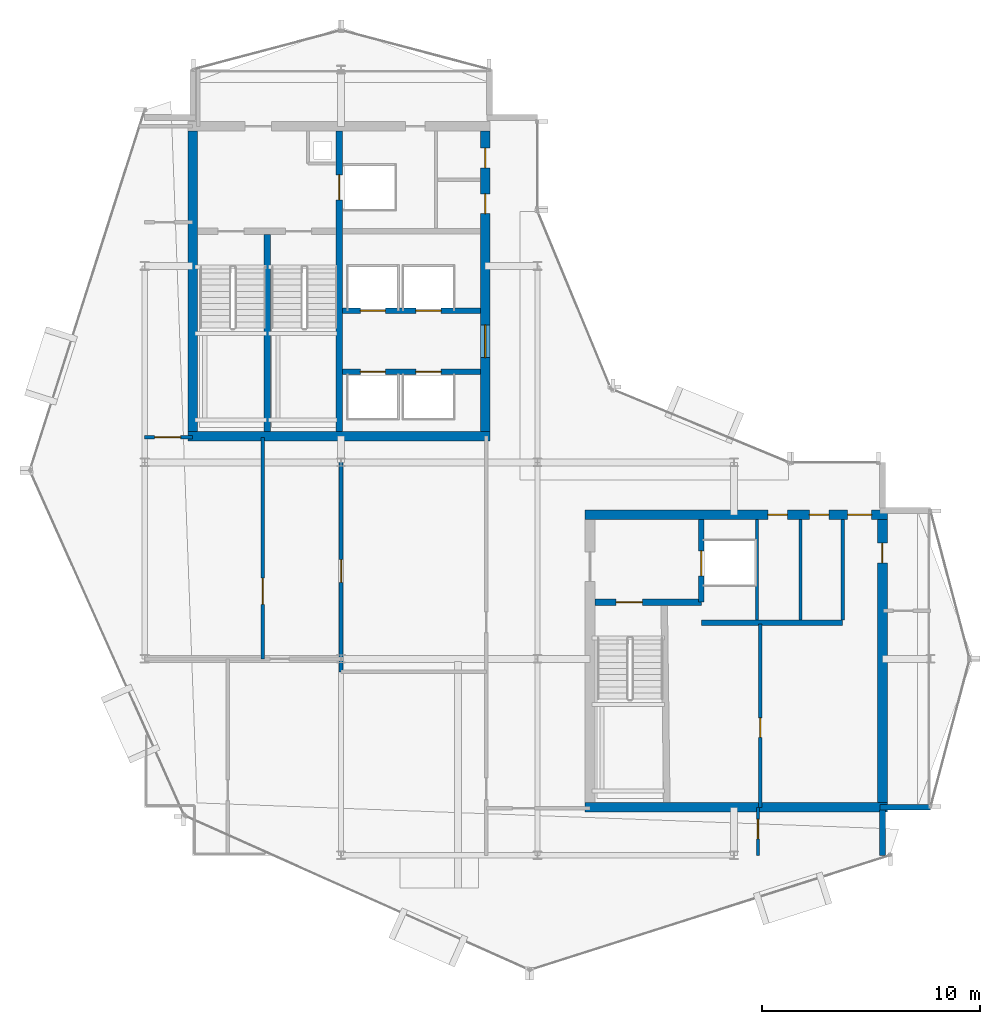
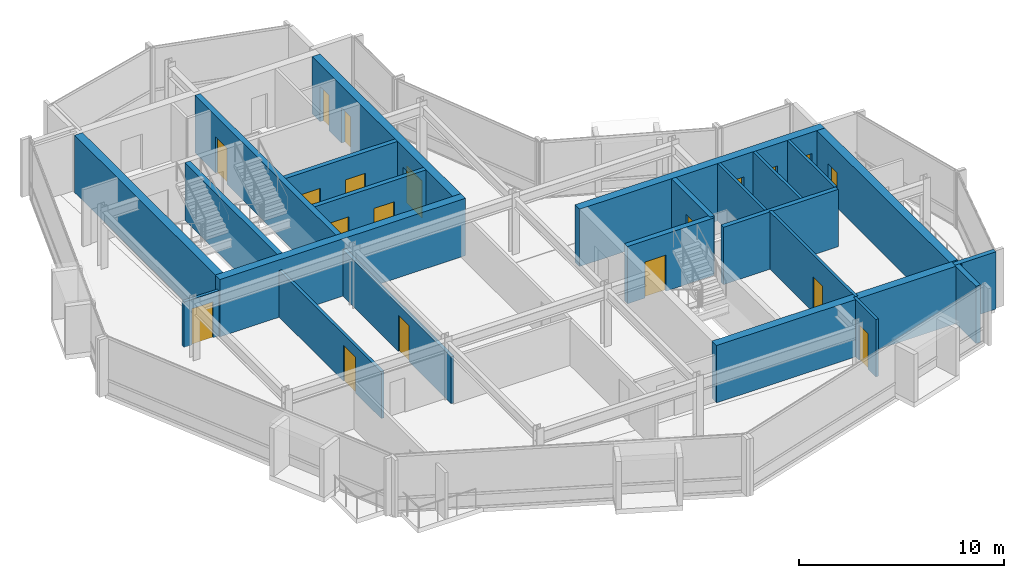
# One storey, part 14 of 19: 23 walls, 19 doors, 19 openings.
"""IFC4 building model written with IfcOpenShell, lengths in metres."""

import ifcopenshell
import ifcopenshell.guid

model = None  # the IFC model being written
_history = None  # IfcOwnerHistory: only IFC2X3 demands one
_inside = {}  # id of a spatial element -> (the spatial element, [elements in it])
_under = {}  # id of a project, library or spatial element -> (it, [spatial elements below it])
_declared = {}  # id of a project -> (the project, [libraries it declares])
_typed = {}  # id of a type object -> (the type object, [elements of that type])
_made_of = {}  # id of a material, layer set ... -> (it, [elements and type objects made of it])


def new_model(schema):
    """Start an empty IFC model of exactly this schema.

    Asked for "IFC4X3", IfcOpenShell would pick the latest addendum, in which some entities
    have other attributes; the version numbers below select the first issue.
    IFC2X3 requires an IfcOwnerHistory on every rooted entity: one is made here for all.
    """
    global model, _history
    if schema == "IFC4X3":
        model = ifcopenshell.file(schema_version=(4, 3, 0, 0))
    else:
        model = ifcopenshell.file(schema=schema)
    _inside.clear()
    _under.clear()
    _declared.clear()
    _typed.clear()
    _made_of.clear()
    _history = None
    if model.schema == "IFC2X3":
        org = make("IfcOrganization", Name="unknown")
        user = make(
            "IfcPersonAndOrganization",
            ThePerson=make("IfcPerson", FamilyName="unknown"),
            TheOrganization=org,
        )
        app = make(
            "IfcApplication",
            ApplicationDeveloper=org,
            Version="unknown",
            ApplicationFullName="unknown",
            ApplicationIdentifier="unknown",
        )
        _history = make(
            "IfcOwnerHistory",
            OwningUser=user,
            OwningApplication=app,
            ChangeAction="ADDED",
            CreationDate=0,
        )
    return model


def make(cls, **values):
    """One entity of the class cls with the attributes given. An attribute that is None is left unset."""
    return model.create_entity(
        cls, **{name: value for name, value in values.items() if value is not None}
    )


def rooted(cls, **values):
    """An entity with a GlobalId (a new one), such as an element, a storey or a relation."""
    return make(cls, GlobalId=ifcopenshell.guid.new(), OwnerHistory=_history, **values)


def si_unit(unit_type, name, prefix=None):
    """IfcSIUnit, for example si_unit("LENGTHUNIT", "METRE", prefix="MILLI")."""
    return make("IfcSIUnit", UnitType=unit_type, Prefix=prefix, Name=name)


def assignment(units):
    """IfcUnitAssignment: the units of a project."""
    return None if units is None else make("IfcUnitAssignment", Units=units)


def point(xyz):
    """IfcCartesianPoint."""
    return None if xyz is None else make("IfcCartesianPoint", Coordinates=xyz)


def direction(xyz):
    """IfcDirection."""
    return None if xyz is None else make("IfcDirection", DirectionRatios=xyz)


def frame(location, z_axis=None, x_axis=None):
    """IfcAxis2Placement3D, a coordinate frame: its origin and axes. An axis left out is left unset."""
    return make(
        "IfcAxis2Placement3D",
        Location=point(location),
        Axis=direction(z_axis),
        RefDirection=direction(x_axis),
    )


def frame_2d(location, x_axis=None):
    """IfcAxis2Placement2D, a coordinate frame in the plane: its origin and x axis."""
    return make(
        "IfcAxis2Placement2D", Location=point(location), RefDirection=direction(x_axis)
    )


def origin():
    """The frame at (0, 0, 0) with its axes left unset."""
    return frame((0.0, 0.0, 0.0))


def place(relative_to, where):
    """IfcLocalPlacement: puts the frame where relative to a parent placement (None: the world)."""
    return make(
        "IfcLocalPlacement", PlacementRelTo=relative_to, RelativePlacement=where
    )


def context(
    kind, dimensions, precision=None, world=None, true_north=None, identifier=None
):
    """IfcGeometricRepresentationContext, for example the 3D "Model" context."""
    return make(
        "IfcGeometricRepresentationContext",
        ContextIdentifier=identifier,
        ContextType=kind,
        CoordinateSpaceDimension=dimensions,
        Precision=precision,
        WorldCoordinateSystem=world,
        TrueNorth=true_north,
    )


def subcontext(parent, identifier, kind, view, scale=None):
    """IfcGeometricRepresentationSubContext, for example "Body" below "Model"."""
    return make(
        "IfcGeometricRepresentationSubContext",
        ContextIdentifier=identifier,
        ContextType=kind,
        ParentContext=parent,
        TargetScale=scale,
        TargetView=view,
    )


def project(units=None, contexts=None):
    """IfcProject with its units and contexts."""
    return rooted(
        "IfcProject",
        Name="project",
        RepresentationContexts=contexts,
        UnitsInContext=assignment(units),
    )


def spatial(cls, under=None, at=None, **own):
    """A site, building, storey or space (cls), placed at a placement, below another one or the project."""
    s = rooted(cls, ObjectPlacement=at, **own)
    if under is not None:
        _under.setdefault(under.id(), (under, []))[1].append(s)
    return s


def profile(cls, at=None, kind="AREA", **sizes):
    """A parametric profile (cls). Its sizes go by their IFC names, for example OverallWidth=200.0."""
    return make(cls, ProfileType=kind, Position=at, **sizes)


def rectangle(**sizes):
    """IfcRectangleProfileDef."""
    return profile("IfcRectangleProfileDef", **sizes)


def extrude(swept, where, along, depth):
    """IfcExtrudedAreaSolid: the profile swept, set in the frame where, extruded along a direction by depth."""
    return make(
        "IfcExtrudedAreaSolid",
        SweptArea=swept,
        Position=where,
        ExtrudedDirection=direction(along),
        Depth=depth,
    )


def shape(context_of_items, identifier, shape_type, items):
    """IfcShapeRepresentation: the items that make up one representation, for example the "Body"."""
    return make(
        "IfcShapeRepresentation",
        ContextOfItems=context_of_items,
        RepresentationIdentifier=identifier,
        RepresentationType=shape_type,
        Items=items,
    )


def material(Name=None, Category=None):
    """IfcMaterial."""
    return make("IfcMaterial", Name=Name, Category=Category)


def layer(
    of_material, thickness, ventilated=None, Name=None, Category=None, Priority=None
):
    """IfcMaterialLayer: one layer of a wall or slab, of a material (None: an air gap)."""
    return make(
        "IfcMaterialLayer",
        Material=of_material,
        LayerThickness=thickness,
        IsVentilated=ventilated,
        Name=Name,
        Category=Category,
        Priority=Priority,
    )


def layer_set(layers, Name=None):
    """IfcMaterialLayerSet."""
    return make("IfcMaterialLayerSet", MaterialLayers=layers, LayerSetName=Name)


def made_of(thing, what):
    """Note that an element or type object is made of a material, layer set ...; save() writes the relation."""
    if what is not None:
        _made_of.setdefault(what.id(), (what, []))[1].append(thing)
    return thing


def type_object(cls, material=None, **own):
    """A type object (cls), such as IfcWallType, which elements share."""
    return made_of(rooted(cls, **own), material)


def element(
    cls,
    number,
    at=None,
    inside=None,
    cuts=None,
    type_object=None,
    material=None,
    context=None,
    identifier="Body",
    shape_type=None,
    held_by="IfcProductDefinitionShape",
    body=None,
    shapes=None,
    **own,
):
    """One element of the class cls, such as IfcWall. Its Tag is "e" and its number.

    at: its placement. inside: the storey or other place that contains it. cuts: it is an
    opening in that element (IfcRelVoidsElement). A single representation is given by context,
    identifier, shape_type and body (its items); several are given by shapes. held_by: the class
    of the entity that holds the representations. save() writes the other relations.
    """
    e = rooted(cls, Tag="e%d" % number, ObjectPlacement=at, **own)
    if body is not None:
        shapes = [shape(context, identifier, shape_type, body)]
    if shapes is not None:
        e.Representation = make(held_by, Representations=shapes)
    if inside is not None:
        _inside.setdefault(inside.id(), (inside, []))[1].append(e)
    if cuts is not None:
        rooted(
            "IfcRelVoidsElement", RelatingBuildingElement=cuts, RelatedOpeningElement=e
        )
    if type_object is not None:
        _typed.setdefault(type_object.id(), (type_object, []))[1].append(e)
    return made_of(e, material)


def fill(opening, filler):
    """IfcRelFillsElement: the door or window that sits in an opening."""
    return rooted(
        "IfcRelFillsElement",
        RelatingOpeningElement=opening,
        RelatedBuildingElement=filler,
    )


def aggregate(whole, parts):
    """IfcRelAggregates: a whole, such as a stair, and the parts it consists of."""
    return rooted("IfcRelAggregates", RelatingObject=whole, RelatedObjects=parts)


def save(model, path):
    """Write the relations noted so far, then the file.

    IfcRelAggregates (storeys below a building ...), IfcRelContainedInSpatialStructure (elements
    in a storey), IfcRelDefinesByType, IfcRelAssociatesMaterial and IfcRelDeclares: one each for
    every whole, place, type object, material and project.
    """
    for whole, parts in _under.values():
        aggregate(whole, parts)
    for where, things in _inside.values():
        rooted(
            "IfcRelContainedInSpatialStructure",
            RelatedElements=things,
            RelatingStructure=where,
        )
    for kind, things in _typed.values():
        rooted("IfcRelDefinesByType", RelatedObjects=things, RelatingType=kind)
    for what, things in _made_of.values():
        rooted("IfcRelAssociatesMaterial", RelatedObjects=things, RelatingMaterial=what)
    for by, libraries in _declared.values():
        rooted("IfcRelDeclares", RelatingContext=by, RelatedDefinitions=libraries)
    model.write(path)


model = new_model("IFC4")

# Units and contexts
model_context = context("Model", 3, precision=1e-05, world=origin(), true_north=direction((0.0, 1.0)))
body_context = subcontext(model_context, "Body", "Model", "MODEL_VIEW")
ifc_project = project(units=[si_unit("LENGTHUNIT", "METRE"), si_unit("AREAUNIT", "SQUARE_METRE"), si_unit("VOLUMEUNIT", "CUBIC_METRE"), si_unit("PLANEANGLEUNIT", "RADIAN"), si_unit("MASSUNIT", "GRAM", prefix="KILO")], contexts=[model_context])

# Site, building, storey
site_placement = place(None, origin())
site = spatial("IfcSite", under=ifc_project, at=site_placement, CompositionType="ELEMENT")
building_placement = place(site_placement, origin())
building = spatial("IfcBuilding", under=site, at=building_placement, Name="Solvaryn Broadcast Tower", CompositionType="ELEMENT")
storey_placement = place(building_placement, frame((0.0, 0.0, 277.800048828125)))
storey = spatial("IfcBuildingStorey", under=building, at=storey_placement, Name="L70", CompositionType="ELEMENT", Elevation=277.800048828125)

# Walls
ifc_material_1 = material(Name="Concrete f'c 70 MPa", Category="concrete")
ifc_layer_1 = layer(ifc_material_1, 0.449951171875)
ifc_layer_set_1 = layer_set([ifc_layer_1], Name="CW-SHEAR-450")
wall_type_1 = type_object("IfcWallType", Name="CW-SHEAR-450", PredefinedType="SHEAR", material=ifc_layer_set_1)
wall_1_placement = place(storey_placement, frame((10.97509765625, 28.199951171875, 0.0), z_axis=(0.0, 0.0, 1.0), x_axis=(1.0, 0.0, 0.0)))
element("IfcWall", 1, at=wall_1_placement, inside=storey, type_object=wall_type_1, Name="L70 West Core South Shear Wall", PredefinedType="SHEAR", context=body_context, shape_type="SweptSolid", body=[
    extrude(rectangle(XDim=13.849853515625, YDim=0.449951171875, at=frame_2d((6.9248046875, 0.0))), origin(), (0.0, 0.0, 1.0), 3.419921875),
])
wall_2_placement = place(storey_placement, frame((11.199951171875, 42.175048828125, 0.0), z_axis=(0.0, 0.0, 1.0), x_axis=(0.0, -1.0, 0.0)))
element("IfcWall", 2, at=wall_2_placement, inside=storey, type_object=wall_type_1, Name="L70 West Core West Shear Wall", PredefinedType="SHEAR", context=body_context, shape_type="SweptSolid", body=[
    extrude(rectangle(XDim=13.75, YDim=0.449951171875, at=frame_2d((6.875, 0.0))), origin(), (0.0, 0.0, 1.0), 3.419921875),
])

# Wall, openings, doors
wall_3_placement = place(storey_placement, frame((24.60009765625, 28.425048828125, 0.0), z_axis=(0.0, 0.0, 1.0), x_axis=(0.0, 1.0, 0.0)))
wall_3 = element("IfcWall", 3, at=wall_3_placement, inside=storey, type_object=wall_type_1, Name="L70 West Core East Shear Wall", PredefinedType="SHEAR", context=body_context, shape_type="SweptSolid", body=[
    extrude(rectangle(XDim=13.75, YDim=0.449951171875, at=frame_2d((6.875, 0.0))), origin(), (0.0, 0.0, 1.0), 3.419921875),
])
opening_1_placement = place(wall_3_placement, frame((3.375, 0.0, 0.0)))
opening_1 = element("IfcOpeningElement", 4, at=opening_1_placement, cuts=wall_3, Name="Opening FD60A", PredefinedType="OPENING", context=body_context, shape_type="SweptSolid", body=[
    extrude(rectangle(XDim=1.5, YDim=2.199951171875, at=frame_2d((0.75, 1.10009765625))), frame((0.0, 0.235107421875, 0.0), z_axis=(0.0, -1.0, 0.0), x_axis=(1.0, 0.0, 0.0)), (0.0, 0.0, 1.0), 0.469970703125),
])
opening_2_placement = place(wall_3_placement, frame((9.97509765625, 0.0, 0.0)))
opening_2 = element("IfcOpeningElement", 5, at=opening_2_placement, cuts=wall_3, Name="Opening FD60C", PredefinedType="OPENING", context=body_context, shape_type="SweptSolid", body=[
    extrude(rectangle(XDim=0.89990234375, YDim=2.10009765625, at=frame_2d((0.449951171875, 1.050048828125))), frame((0.0, 0.235107421875, 0.0), z_axis=(0.0, -1.0, 0.0), x_axis=(1.0, 0.0, 0.0)), (0.0, 0.0, 1.0), 0.469970703125),
])
opening_3_placement = place(wall_3_placement, frame((12.074951171875, 0.0, 0.0)))
opening_3 = element("IfcOpeningElement", 6, at=opening_3_placement, cuts=wall_3, Name="Opening FD60C", PredefinedType="OPENING", context=body_context, shape_type="SweptSolid", body=[
    extrude(rectangle(XDim=0.89990234375, YDim=2.10009765625, at=frame_2d((0.449951171875, 1.050048828125))), frame((0.0, 0.235107421875, 0.0), z_axis=(0.0, -1.0, 0.0), x_axis=(1.0, 0.0, 0.0)), (0.0, 0.0, 1.0), 0.469970703125),
])
ifc_material_2 = material(Name="Flush Acoustic Steel and Timber Door Assembly", Category="steel")
door_type_1 = type_object("IfcDoorType", Name="FD60-CORR-1500X2200", OperationType="NOTDEFINED", PredefinedType="DOOR", material=ifc_material_2)
door_1_placement = place(opening_1_placement, origin())
door_1 = element("IfcDoor", 7, at=door_1_placement, inside=storey, type_object=door_type_1, Name="L70 West Elevator Lobby Corridor Door", OperationType="DOUBLE_DOOR_SINGLE_SWING", OverallHeight=2.199951171875, OverallWidth=1.5, PredefinedType="DOOR", context=body_context, shape_type="SweptSolid", body=[
    extrude(rectangle(XDim=1.5, YDim=2.199951171875, at=frame_2d((0.75, 1.10009765625))), frame((0.0, 0.02490234375, 0.0), z_axis=(0.0, -1.0, 0.0), x_axis=(1.0, 0.0, 0.0)), (0.0, 0.0, 1.0), 0.050048828125),
])
fill(opening_1, door_1)
ifc_material_3 = material(Name="Flush Acoustic Steel and Timber Door Assembly", Category="steel")
door_type_2 = type_object("IfcDoorType", Name="FD60-SERV-900X2100", OperationType="NOTDEFINED", PredefinedType="DOOR", material=ifc_material_3)
door_2_placement = place(opening_2_placement, origin())
door_2 = element("IfcDoor", 8, at=door_2_placement, inside=storey, type_object=door_type_2, Name="L70 West Core Service Door 1", OperationType="SINGLE_SWING_LEFT", OverallHeight=2.10009765625, OverallWidth=0.89990234375, PredefinedType="DOOR", context=body_context, shape_type="SweptSolid", body=[
    extrude(rectangle(XDim=0.89990234375, YDim=2.10009765625, at=frame_2d((0.449951171875, 1.050048828125))), frame((0.0, 0.02490234375, 0.0), z_axis=(0.0, -1.0, 0.0), x_axis=(1.0, 0.0, 0.0)), (0.0, 0.0, 1.0), 0.050048828125),
])
fill(opening_2, door_2)
door_3_placement = place(opening_3_placement, origin())
door_3 = element("IfcDoor", 9, at=door_3_placement, inside=storey, type_object=door_type_2, Name="L70 West Core Janitor Door", OperationType="SINGLE_SWING_RIGHT", OverallHeight=2.10009765625, OverallWidth=0.89990234375, PredefinedType="DOOR", context=body_context, shape_type="SweptSolid", body=[
    extrude(rectangle(XDim=0.89990234375, YDim=2.10009765625, at=frame_2d((0.449951171875, 1.050048828125))), frame((0.0, 0.02490234375, 0.0), z_axis=(0.0, -1.0, 0.0), x_axis=(1.0, 0.0, 0.0)), (0.0, 0.0, 1.0), 0.050048828125),
])
fill(opening_3, door_3)

# Wall
wall_4_placement = place(storey_placement, frame((29.175048828125, 11.199951171875, 0.0), z_axis=(0.0, 0.0, 1.0), x_axis=(1.0, 0.0, 0.0)))
element("IfcWall", 10, at=wall_4_placement, inside=storey, type_object=wall_type_1, Name="L70 East Core South Shear Wall", PredefinedType="SHEAR", context=body_context, shape_type="SweptSolid", body=[
    extrude(rectangle(XDim=13.849853515625, YDim=0.449951171875, at=frame_2d((6.9248046875, 0.0))), origin(), (0.0, 0.0, 1.0), 3.419921875),
])

# Wall, openings, doors
wall_5_placement = place(storey_placement, frame((43.02490234375, 24.60009765625, 0.0), z_axis=(0.0, 0.0, 1.0), x_axis=(-1.0, 0.0, 0.0)))
wall_5 = element("IfcWall", 11, at=wall_5_placement, inside=storey, type_object=wall_type_1, Name="L70 East Core North Shear Wall", PredefinedType="SHEAR", context=body_context, shape_type="SweptSolid", body=[
    extrude(rectangle(XDim=13.849853515625, YDim=0.449951171875, at=frame_2d((6.9248046875, 0.0))), origin(), (0.0, 0.0, 1.0), 3.419921875),
])
opening_4_placement = place(wall_5_placement, frame((0.72509765625, 0.0, 0.0)))
opening_4 = element("IfcOpeningElement", 12, at=opening_4_placement, cuts=wall_5, Name="Opening FD90C", PredefinedType="OPENING", context=body_context, shape_type="SweptSolid", body=[
    extrude(rectangle(XDim=1.10009765625, YDim=2.14990234375, at=frame_2d((0.550048828125, 1.074951171875))), frame((0.0, 0.235107421875, 0.0), z_axis=(0.0, -1.0, 0.0), x_axis=(1.0, 0.0, 0.0)), (0.0, 0.0, 1.0), 0.469970703125),
])
opening_5_placement = place(wall_5_placement, frame((2.675048828125, 0.0, 0.0)))
opening_5 = element("IfcOpeningElement", 13, at=opening_5_placement, cuts=wall_5, Name="Opening FD60C", PredefinedType="OPENING", context=body_context, shape_type="SweptSolid", body=[
    extrude(rectangle(XDim=0.89990234375, YDim=2.10009765625, at=frame_2d((0.449951171875, 1.050048828125))), frame((0.0, 0.235107421875, 0.0), z_axis=(0.0, -1.0, 0.0), x_axis=(1.0, 0.0, 0.0)), (0.0, 0.0, 1.0), 0.469970703125),
])
opening_6_placement = place(wall_5_placement, frame((4.574951171875, 0.0, 0.0)))
opening_6 = element("IfcOpeningElement", 14, at=opening_6_placement, cuts=wall_5, Name="Opening FD60C", PredefinedType="OPENING", context=body_context, shape_type="SweptSolid", body=[
    extrude(rectangle(XDim=0.89990234375, YDim=2.10009765625, at=frame_2d((0.449951171875, 1.050048828125))), frame((0.0, 0.235107421875, 0.0), z_axis=(0.0, -1.0, 0.0), x_axis=(1.0, 0.0, 0.0)), (0.0, 0.0, 1.0), 0.469970703125),
])
door_4_placement = place(opening_5_placement, origin())
door_4 = element("IfcDoor", 15, at=door_4_placement, inside=storey, type_object=door_type_2, Name="L70 Staff Restroom Door", OperationType="SINGLE_SWING_LEFT", OverallHeight=2.10009765625, OverallWidth=0.89990234375, PredefinedType="DOOR", context=body_context, shape_type="SweptSolid", body=[
    extrude(rectangle(XDim=0.89990234375, YDim=2.10009765625, at=frame_2d((0.449951171875, 1.050048828125))), frame((0.0, 0.02490234375, 0.0), z_axis=(0.0, -1.0, 0.0), x_axis=(1.0, 0.0, 0.0)), (0.0, 0.0, 1.0), 0.050048828125),
])
fill(opening_5, door_4)
door_5_placement = place(opening_6_placement, origin())
door_5 = element("IfcDoor", 16, at=door_5_placement, inside=storey, type_object=door_type_2, Name="L70 Accessible WC Door", OperationType="SINGLE_SWING_RIGHT", OverallHeight=2.10009765625, OverallWidth=0.89990234375, PredefinedType="DOOR", context=body_context, shape_type="SweptSolid", body=[
    extrude(rectangle(XDim=0.89990234375, YDim=2.10009765625, at=frame_2d((0.449951171875, 1.050048828125))), frame((0.0, 0.02490234375, 0.0), z_axis=(0.0, -1.0, 0.0), x_axis=(1.0, 0.0, 0.0)), (0.0, 0.0, 1.0), 0.050048828125),
])
fill(opening_6, door_5)
ifc_material_4 = material(Name="Flush Acoustic Steel and Timber Door Assembly", Category="steel")
door_type_3 = type_object("IfcDoorType", Name="FD90-PLANT-1100X2150", OperationType="NOTDEFINED", PredefinedType="DOOR", material=ifc_material_4)
door_6_placement = place(opening_4_placement, origin())
door_6 = element("IfcDoor", 17, at=door_6_placement, inside=storey, type_object=door_type_3, Name="L70 East Core Lobby Corridor Door", OperationType="SINGLE_SWING_LEFT", OverallHeight=2.14990234375, OverallWidth=1.10009765625, PredefinedType="DOOR", context=body_context, shape_type="SweptSolid", body=[
    extrude(rectangle(XDim=1.10009765625, YDim=2.14990234375, at=frame_2d((0.550048828125, 1.074951171875))), frame((0.0, 0.02490234375, 0.0), z_axis=(0.0, -1.0, 0.0), x_axis=(1.0, 0.0, 0.0)), (0.0, 0.0, 1.0), 0.050048828125),
])
fill(opening_4, door_6)

# Wall, opening, door
wall_6_placement = place(storey_placement, frame((42.800048828125, 11.425048828125, 0.0), z_axis=(0.0, 0.0, 1.0), x_axis=(0.0, 1.0, 0.0)))
wall_6 = element("IfcWall", 18, at=wall_6_placement, inside=storey, type_object=wall_type_1, Name="L70 East Core East Shear Wall", PredefinedType="SHEAR", context=body_context, shape_type="SweptSolid", body=[
    extrude(rectangle(XDim=12.949951171875, YDim=0.449951171875, at=frame_2d((6.47509765625, 0.0))), origin(), (0.0, 0.0, 1.0), 3.419921875),
])
opening_7_placement = place(wall_6_placement, frame((10.97509765625, 0.0, 0.0)))
opening_7 = element("IfcOpeningElement", 19, at=opening_7_placement, cuts=wall_6, Name="Opening FD60C", PredefinedType="OPENING", context=body_context, shape_type="SweptSolid", body=[
    extrude(rectangle(XDim=0.89990234375, YDim=2.10009765625, at=frame_2d((0.449951171875, 1.050048828125))), frame((0.0, 0.235107421875, 0.0), z_axis=(0.0, -1.0, 0.0), x_axis=(1.0, 0.0, 0.0)), (0.0, 0.0, 1.0), 0.469970703125),
])
door_7_placement = place(opening_7_placement, origin())
door_7 = element("IfcDoor", 20, at=door_7_placement, inside=storey, type_object=door_type_2, Name="L70 Upper East Studio Door", OperationType="SINGLE_SWING_RIGHT", OverallHeight=2.10009765625, OverallWidth=0.89990234375, PredefinedType="DOOR", context=body_context, shape_type="SweptSolid", body=[
    extrude(rectangle(XDim=0.89990234375, YDim=2.10009765625, at=frame_2d((0.449951171875, 1.050048828125))), frame((0.0, 0.02490234375, 0.0), z_axis=(0.0, -1.0, 0.0), x_axis=(1.0, 0.0, 0.0)), (0.0, 0.0, 1.0), 0.050048828125),
])
fill(opening_7, door_7)

# Walls
ifc_material_5 = material(Name="Concrete f'c 50 MPa", Category="concrete")
ifc_layer_2 = layer(ifc_material_5, 0.260009765625)
ifc_layer_set_2 = layer_set([ifc_layer_2], Name="EW-PIER-260")
wall_type_2 = type_object("IfcWallType", Name="EW-PIER-260", PredefinedType="SOLIDWALL", material=ifc_layer_set_2)
wall_7_placement = place(storey_placement, frame((42.800048828125, 9.0, 0.0), z_axis=(0.0, 0.0, 1.0), x_axis=(0.0, 1.0, 0.0)))
element("IfcWall", 21, at=wall_7_placement, inside=storey, type_object=wall_type_2, Name="L70 Notched Corner Pier Wall NSE1", PredefinedType="SOLIDWALL", context=body_context, shape_type="SweptSolid", body=[
    extrude(rectangle(XDim=2.080078125, YDim=0.260009765625, at=frame_2d((1.0400390625, 0.0))), origin(), (0.0, 0.0, 1.0), 3.419921875),
])
wall_8_placement = place(storey_placement, frame((42.679931640625, 11.199951171875, 0.0), z_axis=(0.0, 0.0, 1.0), x_axis=(1.0, 0.0, 0.0)))
element("IfcWall", 22, at=wall_8_placement, inside=storey, type_object=wall_type_2, Name="L70 Notched Corner Pier Wall NSE2", PredefinedType="SOLIDWALL", context=body_context, shape_type="SweptSolid", body=[
    extrude(rectangle(XDim=2.320068359375, YDim=0.260009765625, at=frame_2d((1.16015625, 0.0))), origin(), (0.0, 0.0, 1.0), 3.419921875),
])

# Wall, opening, door
ifc_material_6 = material(Name="Metal-Stud Service Core Partition")
ifc_layer_3 = layer(ifc_material_6, 0.14990234375)
ifc_layer_set_3 = layer_set([ifc_layer_3], Name="IW-PART-150")
wall_type_3 = type_object("IfcWallType", Name="IW-PART-150", PredefinedType="PARTITIONING", material=ifc_layer_set_3)
wall_9_placement = place(storey_placement, frame((37.199951171875, 11.199951171875, 0.0), z_axis=(0.0, 0.0, 1.0), x_axis=(0.0, 1.0, 0.0)))
wall_9 = element("IfcWall", 23, at=wall_9_placement, inside=storey, type_object=wall_type_3, Name="L70 Interior Partition IW-L70-RPM-V", PredefinedType="PARTITIONING", context=body_context, shape_type="SweptSolid", body=[
    extrude(rectangle(XDim=8.400146484375, YDim=0.14990234375, at=frame_2d((4.2001953125, 0.0))), origin(), (0.0, 0.0, 1.0), 3.419921875),
])
opening_8_placement = place(wall_9_placement, frame((3.199951171875, 0.0, 0.0)))
opening_8 = element("IfcOpeningElement", 24, at=opening_8_placement, cuts=wall_9, Name="Opening FD60C", PredefinedType="OPENING", context=body_context, shape_type="SweptSolid", body=[
    extrude(rectangle(XDim=0.89990234375, YDim=2.10009765625, at=frame_2d((0.449951171875, 1.050048828125))), frame((0.0, 0.0849609375, 0.0), z_axis=(0.0, -1.0, 0.0), x_axis=(1.0, 0.0, 0.0)), (0.0, 0.0, 1.0), 0.169921875),
])
door_8_placement = place(opening_8_placement, origin())
door_8 = element("IfcDoor", 25, at=door_8_placement, inside=storey, type_object=door_type_2, Name="L70 Door DR-L70-RPM1", OperationType="SINGLE_SWING_LEFT", OverallHeight=2.10009765625, OverallWidth=0.89990234375, PredefinedType="DOOR", context=body_context, shape_type="SweptSolid", body=[
    extrude(rectangle(XDim=0.89990234375, YDim=2.10009765625, at=frame_2d((0.449951171875, 1.050048828125))), frame((0.0, 0.02490234375, 0.0), z_axis=(0.0, -1.0, 0.0), x_axis=(1.0, 0.0, 0.0)), (0.0, 0.0, 1.0), 0.050048828125),
])
fill(opening_8, door_8)

# Walls
for number, where, z_axis, x_axis, name in (
    (26, (37.050048828125, 19.780029296875, 0.0), (0.0, 0.0, 1.0), (0.0, 1.0, 0.0), "L70 Interior Partition IW-L70-CE-FL2E"),
    (27, (39.050048828125, 19.780029296875, 0.0), (0.0, 0.0, 1.0), (0.0, 1.0, 0.0), "L70 Interior Partition IW-L70-CE-V1"),
    (28, (40.97998046875, 19.780029296875, 0.0), (0.0, 0.0, 1.0), (0.0, 1.0, 0.0), "L70 Interior Partition IW-L70-CE-V3"),
):
    element("IfcWall", number, at=place(storey_placement, frame(where, z_axis=z_axis, x_axis=x_axis)), inside=storey, type_object=wall_type_3, Name=name, PredefinedType="PARTITIONING", context=body_context, shape_type="SweptSolid", body=[
        extrude(rectangle(XDim=4.594970703125, YDim=0.14990234375, at=frame_2d((2.29736328125, 0.0))), origin(), (0.0, 0.0, 1.0), 3.419921875),
    ])

# Wall, opening, door
wall_10_placement = place(storey_placement, frame((37.10009765625, 9.0, 0.0), z_axis=(0.0, 0.0, 1.0), x_axis=(0.0, 1.0, 0.0)))
wall_10 = element("IfcWall", 29, at=wall_10_placement, inside=storey, type_object=wall_type_3, Name="L70 Interior Partition IW-L70-SC-V", PredefinedType="PARTITIONING", context=body_context, shape_type="SweptSolid", body=[
    extrude(rectangle(XDim=2.199951171875, YDim=0.14990234375, at=frame_2d((1.10009765625, 0.0))), origin(), (0.0, 0.0, 1.0), 3.419921875),
])
opening_9_placement = place(wall_10_placement, frame((0.75, 0.0, 0.0)))
opening_9 = element("IfcOpeningElement", 30, at=opening_9_placement, cuts=wall_10, Name="Opening FD60C", PredefinedType="OPENING", context=body_context, shape_type="SweptSolid", body=[
    extrude(rectangle(XDim=0.89990234375, YDim=2.10009765625, at=frame_2d((0.449951171875, 1.050048828125))), frame((0.0, 0.0849609375, 0.0), z_axis=(0.0, -1.0, 0.0), x_axis=(1.0, 0.0, 0.0)), (0.0, 0.0, 1.0), 0.169921875),
])
door_9_placement = place(opening_9_placement, origin())
door_9 = element("IfcDoor", 31, at=door_9_placement, inside=storey, type_object=door_type_2, Name="L70 Door DR-L70-SC1", OperationType="SINGLE_SWING_LEFT", OverallHeight=2.10009765625, OverallWidth=0.89990234375, PredefinedType="DOOR", context=body_context, shape_type="SweptSolid", body=[
    extrude(rectangle(XDim=0.89990234375, YDim=2.10009765625, at=frame_2d((0.449951171875, 1.050048828125))), frame((0.0, 0.02490234375, 0.0), z_axis=(0.0, -1.0, 0.0), x_axis=(1.0, 0.0, 0.0)), (0.0, 0.0, 1.0), 0.050048828125),
])
fill(opening_9, door_9)

ifc_material_7 = material(Name="Metal-Stud Gypsum Office Partition")
ifc_layer_4 = layer(ifc_material_7, 0.159912109375)
ifc_layer_set_4 = layer_set([ifc_layer_4], Name="IW-PART-160")
wall_type_4 = type_object("IfcWallType", Name="IW-PART-160", PredefinedType="PARTITIONING", material=ifc_layer_set_4)
wall_11_placement = place(storey_placement, frame((9.0, 28.14990234375, 0.0), z_axis=(0.0, 0.0, 1.0), x_axis=(1.0, 0.0, 0.0)))
wall_11 = element("IfcWall", 32, at=wall_11_placement, inside=storey, type_object=wall_type_4, Name="L70 Interior Partition IW-L70-WM-S", PredefinedType="PARTITIONING", context=body_context, shape_type="SweptSolid", body=[
    extrude(rectangle(XDim=2.199951171875, YDim=0.159912109375, at=frame_2d((1.10009765625, 0.0))), origin(), (0.0, 0.0, 1.0), 2.70703125),
])
opening_10_placement = place(wall_11_placement, frame((0.449951171875, 0.0, 0.0)))
opening_10 = element("IfcOpeningElement", 33, at=opening_10_placement, cuts=wall_11, Name="Opening ID04", PredefinedType="OPENING", context=body_context, shape_type="SweptSolid", body=[
    extrude(rectangle(XDim=1.199951171875, YDim=2.14990234375, at=frame_2d((0.60009765625, 1.074951171875))), frame((0.0, 0.090087890625, 0.0), z_axis=(0.0, -1.0, 0.0), x_axis=(1.0, 0.0, 0.0)), (0.0, 0.0, 1.0), 0.179931640625),
])
ifc_material_8 = material(Name="Flush Acoustic Steel and Timber Door Assembly", Category="steel")
door_type_4 = type_object("IfcDoorType", Name="ID-04-1200X2150", OperationType="NOTDEFINED", PredefinedType="DOOR", material=ifc_material_8)
door_10_placement = place(opening_10_placement, origin())
door_10 = element("IfcDoor", 34, at=door_10_placement, inside=storey, type_object=door_type_4, Name="L70 Door DR-L70-WM0", OperationType="SINGLE_SWING_RIGHT", OverallHeight=2.14990234375, OverallWidth=1.199951171875, PredefinedType="DOOR", context=body_context, shape_type="SweptSolid", body=[
    extrude(rectangle(XDim=1.199951171875, YDim=2.14990234375, at=frame_2d((0.60009765625, 1.074951171875))), frame((0.0, 0.02490234375, 0.0), z_axis=(0.0, -1.0, 0.0), x_axis=(1.0, 0.0, 0.0)), (0.0, 0.0, 1.0), 0.050048828125),
])
fill(opening_10, door_10)

wall_12_placement = place(storey_placement, frame((14.39990234375, 18.0, 0.0), z_axis=(0.0, 0.0, 1.0), x_axis=(0.0, 1.0, 0.0)))
wall_12 = element("IfcWall", 35, at=wall_12_placement, inside=storey, type_object=wall_type_4, Name="L70 Interior Partition IW-L70-SW-NWV", PredefinedType="PARTITIONING", context=body_context, shape_type="SweptSolid", body=[
    extrude(rectangle(XDim=10.1298828125, YDim=0.159912109375, at=frame_2d((5.06494140625, 0.0))), origin(), (0.0, 0.0, 1.0), 2.7890625),
])
opening_11_placement = place(wall_12_placement, frame((2.5, 0.0, 0.0)))
opening_11 = element("IfcOpeningElement", 36, at=opening_11_placement, cuts=wall_12, Name="Opening ID04", PredefinedType="OPENING", context=body_context, shape_type="SweptSolid", body=[
    extrude(rectangle(XDim=1.199951171875, YDim=2.14990234375, at=frame_2d((0.60009765625, 1.074951171875))), frame((0.0, 0.090087890625, 0.0), z_axis=(0.0, -1.0, 0.0), x_axis=(1.0, 0.0, 0.0)), (0.0, 0.0, 1.0), 0.179931640625),
])
door_11_placement = place(opening_11_placement, origin())
door_11 = element("IfcDoor", 37, at=door_11_placement, inside=storey, type_object=door_type_4, Name="L70 Door DR-L70-SWL-NW", OperationType="SINGLE_SWING_LEFT", OverallHeight=2.14990234375, OverallWidth=1.199951171875, PredefinedType="DOOR", context=body_context, shape_type="SweptSolid", body=[
    extrude(rectangle(XDim=1.199951171875, YDim=2.14990234375, at=frame_2d((0.60009765625, 1.074951171875))), frame((0.0, 0.02490234375, 0.0), z_axis=(0.0, -1.0, 0.0), x_axis=(1.0, 0.0, 0.0)), (0.0, 0.0, 1.0), 0.050048828125),
])
fill(opening_11, door_11)

ifc_material_9 = material(Name="Acoustic Metal-Stud Gypsum Partition")
ifc_layer_5 = layer(ifc_material_9, 0.179931640625)
ifc_layer_set_5 = layer_set([ifc_layer_5], Name="IW-PART-180")
wall_type_5 = type_object("IfcWallType", Name="IW-PART-180", PredefinedType="PARTITIONING", material=ifc_layer_set_5)
wall_13_placement = place(storey_placement, frame((18.0, 17.39990234375, 0.0), z_axis=(0.0, 0.0, 1.0), x_axis=(0.0, 1.0, 0.0)))
wall_13 = element("IfcWall", 38, at=wall_13_placement, inside=storey, type_object=wall_type_5, Name="L70 Interior Partition IW-L70-SW-LV", PredefinedType="PARTITIONING", context=body_context, shape_type="SweptSolid", body=[
    extrude(rectangle(XDim=10.72998046875, YDim=0.179931640625, at=frame_2d((5.364990234375, 0.0))), origin(), (0.0, 0.0, 1.0), 2.7890625),
])
opening_12_placement = place(wall_13_placement, frame((4.10009765625, 0.0, 0.0)))
opening_12 = element("IfcOpeningElement", 39, at=opening_12_placement, cuts=wall_13, Name="Opening ID03", PredefinedType="OPENING", context=body_context, shape_type="SweptSolid", body=[
    extrude(rectangle(XDim=1.050048828125, YDim=2.14990234375, at=frame_2d((0.52490234375, 1.074951171875))), frame((0.0, 0.099853515625, 0.0), z_axis=(0.0, -1.0, 0.0), x_axis=(1.0, 0.0, 0.0)), (0.0, 0.0, 1.0), 0.199951171875),
])
ifc_material_10 = material(Name="Flush Acoustic Steel and Timber Door Assembly", Category="steel")
door_type_5 = type_object("IfcDoorType", Name="ID-03-1050X2150", OperationType="NOTDEFINED", PredefinedType="DOOR", material=ifc_material_10)
door_12_placement = place(opening_12_placement, origin())
door_12 = element("IfcDoor", 40, at=door_12_placement, inside=storey, type_object=door_type_5, Name="L70 Door DR-L70-SWL-LV", OperationType="SINGLE_SWING_RIGHT", OverallHeight=2.14990234375, OverallWidth=1.050048828125, PredefinedType="DOOR", context=body_context, shape_type="SweptSolid", body=[
    extrude(rectangle(XDim=1.050048828125, YDim=2.14990234375, at=frame_2d((0.52490234375, 1.074951171875))), frame((0.0, 0.02490234375, 0.0), z_axis=(0.0, -1.0, 0.0), x_axis=(1.0, 0.0, 0.0)), (0.0, 0.0, 1.0), 0.050048828125),
])
fill(opening_12, door_12)

# Wall, openings, doors
ifc_material_11 = material(Name="Concrete f'c 60 MPa", Category="concrete")
ifc_layer_6 = layer(ifc_material_11, 0.25)
ifc_layer_set_6 = layer_set([ifc_layer_6], Name="SW-SHAFT-250")
wall_type_6 = type_object("IfcWallType", Name="SW-SHAFT-250", PredefinedType="PARTITIONING", material=ifc_layer_set_6)
wall_14_placement = place(storey_placement, frame((18.070068359375, 31.14990234375, 0.0), z_axis=(0.0, 0.0, 1.0), x_axis=(1.0, 0.0, 0.0)))
wall_14 = element("IfcWall", 41, at=wall_14_placement, inside=storey, type_object=wall_type_6, Name="L70 High-Rise Lift Bank South Wall", PredefinedType="PARTITIONING", context=body_context, shape_type="SweptSolid", body=[
    extrude(rectangle(XDim=6.304931640625, YDim=0.25, at=frame_2d((3.15234375, 0.0))), origin(), (0.0, 0.0, 1.0), 3.419921875),
])
opening_13_placement = place(wall_14_placement, frame((0.804931640625, 0.0, 0.0)))
opening_13 = element("IfcOpeningElement", 42, at=opening_13_placement, cuts=wall_14, Name="Opening LD01", PredefinedType="OPENING", context=body_context, shape_type="SweptSolid", body=[
    extrude(rectangle(XDim=1.14990234375, YDim=2.14990234375, at=frame_2d((0.574951171875, 1.074951171875))), frame((0.0, 0.135009765625, 0.0), z_axis=(0.0, -1.0, 0.0), x_axis=(1.0, 0.0, 0.0)), (0.0, 0.0, 1.0), 0.27001953125),
])
opening_14_placement = place(wall_14_placement, frame((3.35498046875, 0.0, 0.0)))
opening_14 = element("IfcOpeningElement", 43, at=opening_14_placement, cuts=wall_14, Name="Opening LD01", PredefinedType="OPENING", context=body_context, shape_type="SweptSolid", body=[
    extrude(rectangle(XDim=1.14990234375, YDim=2.14990234375, at=frame_2d((0.574951171875, 1.074951171875))), frame((0.0, 0.135009765625, 0.0), z_axis=(0.0, -1.0, 0.0), x_axis=(1.0, 0.0, 0.0)), (0.0, 0.0, 1.0), 0.27001953125),
])
ifc_material_12 = material(Name="Flush Acoustic Steel and Timber Door Assembly", Category="steel")
door_type_6 = type_object("IfcDoorType", Name="LD-LIFT-1150X2150", OperationType="NOTDEFINED", PredefinedType="DOOR", material=ifc_material_12)
door_13_placement = place(opening_13_placement, origin())
door_13 = element("IfcDoor", 44, at=door_13_placement, inside=storey, type_object=door_type_6, Name="L70 PH1 Lift Landing Door", OperationType="DOUBLE_DOOR_SLIDING", OverallHeight=2.14990234375, OverallWidth=1.14990234375, PredefinedType="DOOR", context=body_context, shape_type="SweptSolid", body=[
    extrude(rectangle(XDim=1.14990234375, YDim=2.14990234375, at=frame_2d((0.574951171875, 1.074951171875))), frame((0.0, 0.02490234375, 0.0), z_axis=(0.0, -1.0, 0.0), x_axis=(1.0, 0.0, 0.0)), (0.0, 0.0, 1.0), 0.050048828125),
])
fill(opening_13, door_13)
door_14_placement = place(opening_14_placement, origin())
door_14 = element("IfcDoor", 45, at=door_14_placement, inside=storey, type_object=door_type_6, Name="L70 PH2 Lift Landing Door", OperationType="DOUBLE_DOOR_SLIDING", OverallHeight=2.14990234375, OverallWidth=1.14990234375, PredefinedType="DOOR", context=body_context, shape_type="SweptSolid", body=[
    extrude(rectangle(XDim=1.14990234375, YDim=2.14990234375, at=frame_2d((0.574951171875, 1.074951171875))), frame((0.0, 0.02490234375, 0.0), z_axis=(0.0, -1.0, 0.0), x_axis=(1.0, 0.0, 0.0)), (0.0, 0.0, 1.0), 0.050048828125),
])
fill(opening_14, door_14)

wall_15_placement = place(storey_placement, frame((24.375, 33.949951171875, 0.0), z_axis=(0.0, 0.0, 1.0), x_axis=(-1.0, 0.0, 0.0)))
wall_15 = element("IfcWall", 46, at=wall_15_placement, inside=storey, type_object=wall_type_6, Name="L70 High-Rise Lift Bank North Wall", PredefinedType="PARTITIONING", context=body_context, shape_type="SweptSolid", body=[
    extrude(rectangle(XDim=6.304931640625, YDim=0.25, at=frame_2d((3.15234375, 0.0))), origin(), (0.0, 0.0, 1.0), 3.419921875),
])
opening_15_placement = place(wall_15_placement, frame((4.35009765625, 0.0, 0.0)))
opening_15 = element("IfcOpeningElement", 47, at=opening_15_placement, cuts=wall_15, Name="Opening LD01", PredefinedType="OPENING", context=body_context, shape_type="SweptSolid", body=[
    extrude(rectangle(XDim=1.14990234375, YDim=2.14990234375, at=frame_2d((0.574951171875, 1.074951171875))), frame((0.0, 0.135009765625, 0.0), z_axis=(0.0, -1.0, 0.0), x_axis=(1.0, 0.0, 0.0)), (0.0, 0.0, 1.0), 0.27001953125),
])
opening_16_placement = place(wall_15_placement, frame((1.800048828125, 0.0, 0.0)))
opening_16 = element("IfcOpeningElement", 48, at=opening_16_placement, cuts=wall_15, Name="Opening LD01", PredefinedType="OPENING", context=body_context, shape_type="SweptSolid", body=[
    extrude(rectangle(XDim=1.14990234375, YDim=2.14990234375, at=frame_2d((0.574951171875, 1.074951171875))), frame((0.0, 0.135009765625, 0.0), z_axis=(0.0, -1.0, 0.0), x_axis=(1.0, 0.0, 0.0)), (0.0, 0.0, 1.0), 0.27001953125),
])
door_15_placement = place(opening_15_placement, origin())
door_15 = element("IfcDoor", 49, at=door_15_placement, inside=storey, type_object=door_type_6, Name="L70 PH3 Lift Landing Door", OperationType="DOUBLE_DOOR_SLIDING", OverallHeight=2.14990234375, OverallWidth=1.14990234375, PredefinedType="DOOR", context=body_context, shape_type="SweptSolid", body=[
    extrude(rectangle(XDim=1.14990234375, YDim=2.14990234375, at=frame_2d((0.574951171875, 1.074951171875))), frame((0.0, 0.02490234375, 0.0), z_axis=(0.0, -1.0, 0.0), x_axis=(1.0, 0.0, 0.0)), (0.0, 0.0, 1.0), 0.050048828125),
])
fill(opening_15, door_15)
door_16_placement = place(opening_16_placement, origin())
door_16 = element("IfcDoor", 50, at=door_16_placement, inside=storey, type_object=door_type_6, Name="L70 PH4 Lift Landing Door", OperationType="DOUBLE_DOOR_SLIDING", OverallHeight=2.14990234375, OverallWidth=1.14990234375, PredefinedType="DOOR", context=body_context, shape_type="SweptSolid", body=[
    extrude(rectangle(XDim=1.14990234375, YDim=2.14990234375, at=frame_2d((0.574951171875, 1.074951171875))), frame((0.0, 0.02490234375, 0.0), z_axis=(0.0, -1.0, 0.0), x_axis=(1.0, 0.0, 0.0)), (0.0, 0.0, 1.0), 0.050048828125),
])
fill(opening_16, door_16)

# Wall, opening, door
wall_16_placement = place(storey_placement, frame((34.5, 20.60009765625, 0.0), z_axis=(0.0, 0.0, 1.0), x_axis=(0.0, 1.0, 0.0)))
wall_16 = element("IfcWall", 51, at=wall_16_placement, inside=storey, type_object=wall_type_6, Name="L70 East FSAE Lobby East Wall", PredefinedType="PARTITIONING", context=body_context, shape_type="SweptSolid", body=[
    extrude(rectangle(XDim=3.77490234375, YDim=0.25, at=frame_2d((1.887451171875, 0.0))), origin(), (0.0, 0.0, 1.0), 3.419921875),
])
opening_17_placement = place(wall_16_placement, frame((1.199951171875, 0.0, 0.0)))
opening_17 = element("IfcOpeningElement", 52, at=opening_17_placement, cuts=wall_16, Name="Opening LD01", PredefinedType="OPENING", context=body_context, shape_type="SweptSolid", body=[
    extrude(rectangle(XDim=1.14990234375, YDim=2.14990234375, at=frame_2d((0.574951171875, 1.074951171875))), frame((0.0, 0.135009765625, 0.0), z_axis=(0.0, -1.0, 0.0), x_axis=(1.0, 0.0, 0.0)), (0.0, 0.0, 1.0), 0.27001953125),
])
door_17_placement = place(opening_17_placement, origin())
door_17 = element("IfcDoor", 53, at=door_17_placement, inside=storey, type_object=door_type_6, Name="L70 FL2 Lift Landing Door", OperationType="DOUBLE_DOOR_SLIDING", OverallHeight=2.14990234375, OverallWidth=1.14990234375, PredefinedType="DOOR", context=body_context, shape_type="SweptSolid", body=[
    extrude(rectangle(XDim=1.14990234375, YDim=2.14990234375, at=frame_2d((0.574951171875, 1.074951171875))), frame((0.0, 0.02490234375, 0.0), z_axis=(0.0, -1.0, 0.0), x_axis=(1.0, 0.0, 0.0)), (0.0, 0.0, 1.0), 0.050048828125),
])
fill(opening_17, door_17)

# Walls
wall_17_placement = place(storey_placement, frame((34.5, 19.64990234375, 0.0), z_axis=(0.0, 0.0, 1.0), x_axis=(1.0, 0.0, 0.0)))
element("IfcWall", 54, at=wall_17_placement, inside=storey, type_object=wall_type_6, Name="L70 East Core Restroom South Wall", PredefinedType="PARTITIONING", context=body_context, shape_type="SweptSolid", body=[
    extrude(rectangle(XDim=6.47998046875, YDim=0.25, at=frame_2d((3.239990234375, 0.0))), origin(), (0.0, 0.0, 1.0), 3.419921875),
])
ifc_material_13 = material(Name="Concrete f'c 70 MPa", Category="concrete")
ifc_layer_7 = layer(ifc_material_13, 0.300048828125)
ifc_layer_set_7 = layer_set([ifc_layer_7], Name="SW-SHAFT-300")
wall_type_7 = type_object("IfcWallType", Name="SW-SHAFT-300", PredefinedType="SHEAR", material=ifc_layer_set_7)
wall_18_placement = place(storey_placement, frame((14.6201171875, 28.425048828125, 0.0), z_axis=(0.0, 0.0, 1.0), x_axis=(0.0, 1.0, 0.0)))
element("IfcWall", 55, at=wall_18_placement, inside=storey, type_object=wall_type_7, Name="L70 Stair 1-2 Dividing Wall", PredefinedType="SHEAR", context=body_context, shape_type="SweptSolid", body=[
    extrude(rectangle(XDim=9.02490234375, YDim=0.300048828125, at=frame_2d((4.512451171875, 0.0))), origin(), (0.0, 0.0, 1.0), 3.419921875),
])

# Wall, opening, door
wall_19_placement = place(storey_placement, frame((17.919921875, 42.175048828125, 0.0), z_axis=(0.0, 0.0, 1.0), x_axis=(0.0, -1.0, 0.0)))
wall_19 = element("IfcWall", 56, at=wall_19_placement, inside=storey, type_object=wall_type_7, Name="L70 West Core Stair-Lobby Shear Wall", PredefinedType="SHEAR", context=body_context, shape_type="SweptSolid", body=[
    extrude(rectangle(XDim=13.75, YDim=0.300048828125, at=frame_2d((6.875, 0.0))), origin(), (0.0, 0.0, 1.0), 3.419921875),
])
opening_18_placement = place(wall_19_placement, frame((2.0, 0.0, 0.0)))
opening_18 = element("IfcOpeningElement", 57, at=opening_18_placement, cuts=wall_19, Name="Opening LD01", PredefinedType="OPENING", context=body_context, shape_type="SweptSolid", body=[
    extrude(rectangle(XDim=1.14990234375, YDim=2.14990234375, at=frame_2d((0.574951171875, 1.074951171875))), frame((0.0, 0.159912109375, 0.0), z_axis=(0.0, -1.0, 0.0), x_axis=(1.0, 0.0, 0.0)), (0.0, 0.0, 1.0), 0.320068359375),
])
door_18_placement = place(opening_18_placement, origin())
door_18 = element("IfcDoor", 58, at=door_18_placement, inside=storey, type_object=door_type_6, Name="L70 FL1 Lift Landing Door", OperationType="DOUBLE_DOOR_SLIDING", OverallHeight=2.14990234375, OverallWidth=1.14990234375, PredefinedType="DOOR", context=body_context, shape_type="SweptSolid", body=[
    extrude(rectangle(XDim=1.14990234375, YDim=2.14990234375, at=frame_2d((0.574951171875, 1.074951171875))), frame((0.0, 0.02490234375, 0.0), z_axis=(0.0, -1.0, 0.0), x_axis=(1.0, 0.0, 0.0)), (0.0, 0.0, 1.0), 0.050048828125),
])
fill(opening_18, door_18)

wall_20_placement = place(storey_placement, frame((34.5, 20.60009765625, 0.0), z_axis=(0.0, 0.0, 1.0), x_axis=(-1.0, 0.0, 0.0)))
wall_20 = element("IfcWall", 59, at=wall_20_placement, inside=storey, type_object=wall_type_7, Name="L70 East FSAE Lobby South Wall", PredefinedType="SHEAR", context=body_context, shape_type="SweptSolid", body=[
    extrude(rectangle(XDim=4.875, YDim=0.300048828125, at=frame_2d((2.4375, 0.0))), origin(), (0.0, 0.0, 1.0), 3.419921875),
])
opening_19_placement = place(wall_20_placement, frame((2.699951171875, 0.0, 0.0)))
opening_19 = element("IfcOpeningElement", 60, at=opening_19_placement, cuts=wall_20, Name="Opening FD90A", PredefinedType="OPENING", context=body_context, shape_type="SweptSolid", body=[
    extrude(rectangle(XDim=1.199951171875, YDim=2.14990234375, at=frame_2d((0.60009765625, 1.074951171875))), frame((0.0, 0.159912109375, 0.0), z_axis=(0.0, -1.0, 0.0), x_axis=(1.0, 0.0, 0.0)), (0.0, 0.0, 1.0), 0.320068359375),
])
ifc_material_14 = material(Name="Flush Acoustic Steel and Timber Door Assembly", Category="steel")
door_type_7 = type_object("IfcDoorType", Name="FD90-STAIR-1200X2150", OperationType="NOTDEFINED", PredefinedType="DOOR", material=ifc_material_14)
door_19_placement = place(opening_19_placement, origin())
door_19 = element("IfcDoor", 61, at=door_19_placement, inside=storey, type_object=door_type_7, Name="L70 Stair 3 Fire Door", OperationType="SINGLE_SWING_LEFT", OverallHeight=2.14990234375, OverallWidth=1.199951171875, PredefinedType="DOOR", context=body_context, shape_type="SweptSolid", body=[
    extrude(rectangle(XDim=1.199951171875, YDim=2.14990234375, at=frame_2d((0.60009765625, 1.074951171875))), frame((0.0, 0.02490234375, 0.0), z_axis=(0.0, -1.0, 0.0), x_axis=(1.0, 0.0, 0.0)), (0.0, 0.0, 1.0), 0.050048828125),
])
fill(opening_19, door_19)

save(model, "model.ifc")
